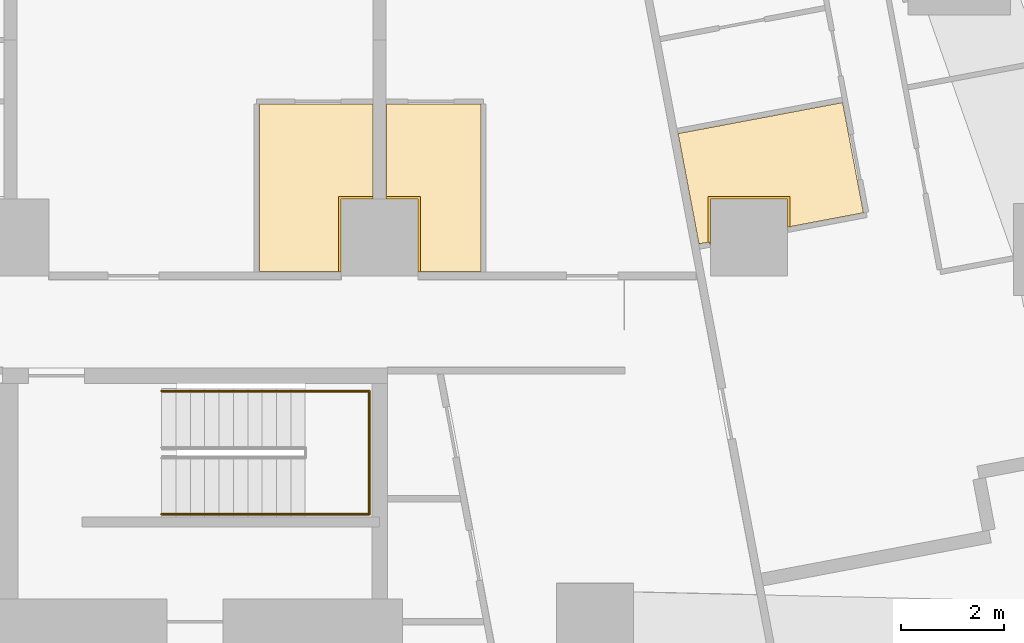
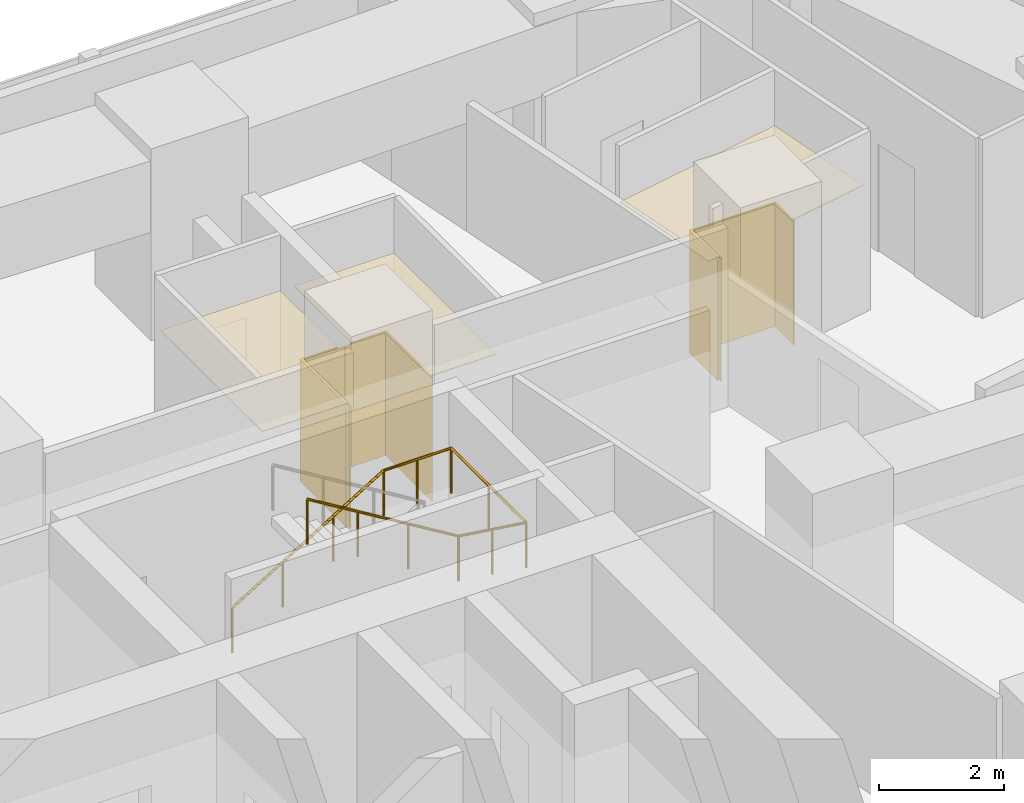
# One storey, part 15 of 15: 6 coverings, 1 railing.
"""IFC4 building model written with IfcOpenShell, lengths in metres."""

from ifc_helpers import new_model, si_unit, direction, frame, origin, origin_2d, place, context, subcontext, project, spatial, polyline, circle, outline, extrude, material, layer, layer_set, type_object, element, save


model = new_model("IFC4")

# Units and contexts
model_context = context("Model", 3, precision=1e-05, world=origin(), true_north=direction((0.0, 1.0)))
body_context = subcontext(model_context, "Body", "Model", "MODEL_VIEW")
ifc_project = project(units=[si_unit("LENGTHUNIT", "METRE"), si_unit("AREAUNIT", "SQUARE_METRE"), si_unit("VOLUMEUNIT", "CUBIC_METRE"), si_unit("PLANEANGLEUNIT", "RADIAN"), si_unit("MASSUNIT", "GRAM", prefix="KILO")], contexts=[model_context])

# Site, building, storey
site_placement = place(None, origin())
site = spatial("IfcSite", under=ifc_project, at=site_placement, CompositionType="ELEMENT")
building_placement = place(site_placement, origin())
building = spatial("IfcBuilding", under=site, at=building_placement, Name="Sheger Commons Tower", CompositionType="ELEMENT")
storey_placement = place(building_placement, frame((0.0, 0.0, 169.550048828125)))
storey = spatial("IfcBuildingStorey", under=building, at=storey_placement, Name="L43", CompositionType="ELEMENT", Elevation=169.550048828125)

# Railing
ifc_material_1 = material(Name="Steel handrail, black powder-coated", Category="steel")
railing_type = type_object("IfcRailingType", Name="HANDRAIL 900", PredefinedType="HANDRAIL", material=ifc_material_1)
railing_placement = place(storey_placement, frame((24.550048828125, 34.5, 0.17041015625)))
element("IfcRailing", 1, at=railing_placement, inside=storey, type_object=railing_type, Name="Stair S2 handrail L43", PredefinedType="HANDRAIL", context=body_context, shape_type="SweptSolid", body=[
    extrude(circle(Radius=0.02392578125, at=origin_2d()), frame((0.0, 0.0, 0.8759765625), z_axis=(0.854169791009, 0.0, 0.51999420009), x_axis=(0.0, 1.0, 0.0)), (0.0, 0.0, 1.0), 3.278076171875),
    extrude(circle(Radius=0.02392578125, at=origin_2d()), frame((2.800048828125, 0.0, 2.58056640625), z_axis=(1.0, 0.0, 0.0), x_axis=(0.0, 1.0, 0.0)), (0.0, 0.0, 1.0), 1.25),
    extrude(circle(Radius=0.02392578125, at=origin_2d()), frame((4.050048828125, 0.0, 2.58056640625), z_axis=(0.0, -1.0, 0.0), x_axis=(1.0, 0.0, 0.0)), (0.0, 0.0, 1.0), 2.39990234375),
    extrude(circle(Radius=0.02392578125, at=origin_2d()), frame((4.050048828125, -2.39990234375, 2.58056640625), z_axis=(-0.990834877927, 0.0, 0.135078661092), x_axis=(0.0, -1.0, 0.0)), (0.0, 0.0, 1.0), 1.261474609375),
    extrude(circle(Radius=0.02392578125, at=origin_2d()), frame((2.800048828125, -2.39990234375, 2.7509765625), z_axis=(-0.854169791009, 0.0, 0.51999420009), x_axis=(0.0, -1.0, 0.0)), (0.0, 0.0, 1.0), 3.278076171875),
    extrude(circle(Radius=0.02099609375, at=origin_2d()), origin(), (0.0, 0.0, 1.0), 0.851806640625),
    extrude(circle(Radius=0.02099609375, at=origin_2d()), frame((0.933349609375, 0.0, 0.568115234375)), (0.0, 0.0, 1.0), 0.851806640625),
    extrude(circle(Radius=0.02099609375, at=origin_2d()), frame((1.86669921875, 0.0, 1.136474609375)), (0.0, 0.0, 1.0), 0.851806640625),
    extrude(circle(Radius=0.02099609375, at=origin_2d()), frame((2.800048828125, 0.0, 1.70458984375)), (0.0, 0.0, 1.0), 0.851806640625),
    extrude(circle(Radius=0.02099609375, at=origin_2d()), frame((3.425048828125, 0.0, 1.70458984375)), (0.0, 0.0, 1.0), 0.851806640625),
    extrude(circle(Radius=0.02099609375, at=origin_2d()), frame((4.050048828125, 0.0, 1.70458984375)), (0.0, 0.0, 1.0), 0.851806640625),
    extrude(circle(Radius=0.02099609375, at=origin_2d()), frame((4.050048828125, -1.199951171875, 1.70458984375)), (0.0, 0.0, 1.0), 0.851806640625),
    extrude(circle(Radius=0.02099609375, at=origin_2d()), frame((4.050048828125, -2.39990234375, 1.70458984375)), (0.0, 0.0, 1.0), 0.851806640625),
    extrude(circle(Radius=0.02099609375, at=origin_2d()), frame((3.425048828125, -2.39990234375, 1.789794921875)), (0.0, 0.0, 1.0), 0.851806640625),
    extrude(circle(Radius=0.02099609375, at=origin_2d()), frame((2.800048828125, -2.39990234375, 1.875)), (0.0, 0.0, 1.0), 0.851806640625),
    extrude(circle(Radius=0.02099609375, at=origin_2d()), frame((1.86669921875, -2.39990234375, 2.443115234375)), (0.0, 0.0, 1.0), 0.851806640625),
    extrude(circle(Radius=0.02099609375, at=origin_2d()), frame((0.933349609375, -2.39990234375, 3.011474609375)), (0.0, 0.0, 1.0), 0.851806640625),
    extrude(circle(Radius=0.02099609375, at=origin_2d()), frame((0.0, -2.39990234375, 3.57958984375)), (0.0, 0.0, 1.0), 0.851806640625),
])

# Coverings
ifc_material_2 = material(Name="Moisture-resistant gypsum plasterboard 15 mm on a suspended galvanised steel grid", Category="steel")
ifc_layer_1 = layer(ifc_material_2, 0.014892578125)
ifc_layer_set_1 = layer_set([ifc_layer_1], Name="MOISTURE-RESISTANT CEILING 15")
covering_type_1 = type_object("IfcCoveringType", Name="MOISTURE-RESISTANT CEILING 15", PredefinedType="CEILING", material=ifc_layer_set_1)
covering_1_placement = place(storey_placement, frame((0.0, 0.0, 2.39990234375)))
element("IfcCovering", 2, at=covering_1_placement, inside=storey, type_object=covering_type_1, Name="L43-08.B1 ceiling", PredefinedType="CEILING", context=body_context, shape_type="SweptSolid", body=[
    extrude(outline(polyline([(35.242919921875, 37.367919921875), (35.2451171875, 37.367919921875), (35.2451171875, 38.2548828125), (36.7548828125, 38.2548828125), (36.7548828125, 37.698974609375), (38.23388671875, 37.97900390625), (37.827880859375, 40.126953125), (34.62109375, 39.52197265625), (35.027099609375, 37.3720703125), (35.235107421875, 37.410888671875), (35.242919921875, 37.367919921875)])), origin(), (0.0, 0.0, 1.0), 0.01513671875),
])
covering_2_placement = place(storey_placement, frame((0.0, 0.0, 2.39990234375)))
element("IfcCovering", 3, at=covering_2_placement, inside=storey, type_object=covering_type_1, Name="L43-14.B1 ceiling", PredefinedType="CEILING", context=body_context, shape_type="SweptSolid", body=[
    extrude(outline(polyline([(26.4541015625, 36.830078125), (28.044921875, 36.830078125), (28.044921875, 38.2548828125), (28.669921875, 38.2548828125), (28.669921875, 40.094970703125), (26.4541015625, 40.094970703125), (26.4541015625, 36.830078125)])), origin(), (0.0, 0.0, 1.0), 0.01513671875),
])
covering_3_placement = place(storey_placement, frame((0.0, 0.0, 2.39990234375)))
element("IfcCovering", 4, at=covering_3_placement, inside=storey, type_object=covering_type_1, Name="L43-15.B1 ceiling", PredefinedType="CEILING", context=body_context, shape_type="SweptSolid", body=[
    extrude(outline(polyline([(29.554931640625, 36.830078125), (30.77392578125, 36.830078125), (30.77392578125, 40.094970703125), (28.929931640625, 40.094970703125), (28.929931640625, 38.2548828125), (29.554931640625, 38.2548828125), (29.554931640625, 36.830078125)])), origin(), (0.0, 0.0, 1.0), 0.01513671875),
])
ifc_material_3 = material(Name="Moisture-resistant gypsum board 12.5 mm on 25 mm treated timber battens, tanked and tiled", Category="wood")
ifc_layer_2 = layer(ifc_material_3, 0.050048828125)
ifc_layer_set_2 = layer_set([ifc_layer_2], Name="WET-ROOM COLUMN LINING")
covering_type_2 = type_object("IfcCoveringType", Name="WET-ROOM COLUMN LINING", PredefinedType="CLADDING", material=ifc_layer_set_2)
covering_4_placement = place(storey_placement, origin())
element("IfcCovering", 5, at=covering_4_placement, inside=storey, type_object=covering_type_2, Name="Bathroom column lining C10 L43", PredefinedType="CLADDING", context=body_context, shape_type="SweptSolid", body=[
    extrude(outline(polyline([(28.675048828125, 38.300048828125), (28.675048828125, 38.2509765625), (28.800048828125, 38.2509765625), (28.800048828125, 38.25), (28.050048828125, 38.25), (28.050048828125, 36.75), (28.049072265625, 36.75), (28.049072265625, 36.824951171875), (28.0, 36.824951171875), (28.0, 38.300048828125), (28.675048828125, 38.300048828125)])), origin(), (0.0, 0.0, 1.0), 2.39990234375),
])
covering_5_placement = place(storey_placement, origin())
element("IfcCovering", 6, at=covering_5_placement, inside=storey, type_object=covering_type_2, Name="Shower room column lining C10 L43", PredefinedType="CLADDING", context=body_context, shape_type="SweptSolid", body=[
    extrude(outline(polyline([(29.60009765625, 36.824951171875), (29.551025390625, 36.824951171875), (29.551025390625, 36.75), (29.550048828125, 36.75), (29.550048828125, 38.25), (28.800048828125, 38.25), (28.800048828125, 38.2509765625), (28.925048828125, 38.2509765625), (28.925048828125, 38.300048828125), (29.60009765625, 38.300048828125), (29.60009765625, 36.824951171875)])), origin(), (0.0, 0.0, 1.0), 2.39990234375),
])
covering_6_placement = place(storey_placement, origin())
element("IfcCovering", 7, at=covering_6_placement, inside=storey, type_object=covering_type_2, Name="Bathroom column lining C10 L43", PredefinedType="CLADDING", context=body_context, shape_type="SweptSolid", body=[
    extrude(outline(polyline([(36.800048828125, 38.300048828125), (36.800048828125, 37.701904296875), (36.7509765625, 37.693115234375), (36.760009765625, 37.64404296875), (36.75, 37.64208984375), (36.75, 38.25), (35.25, 38.25), (35.25, 37.35791015625), (35.239990234375, 37.35595703125), (35.23095703125, 37.405029296875), (35.199951171875, 37.39892578125), (35.199951171875, 38.300048828125), (36.800048828125, 38.300048828125)])), origin(), (0.0, 0.0, 1.0), 2.39990234375),
])

save(model, "model.ifc")
